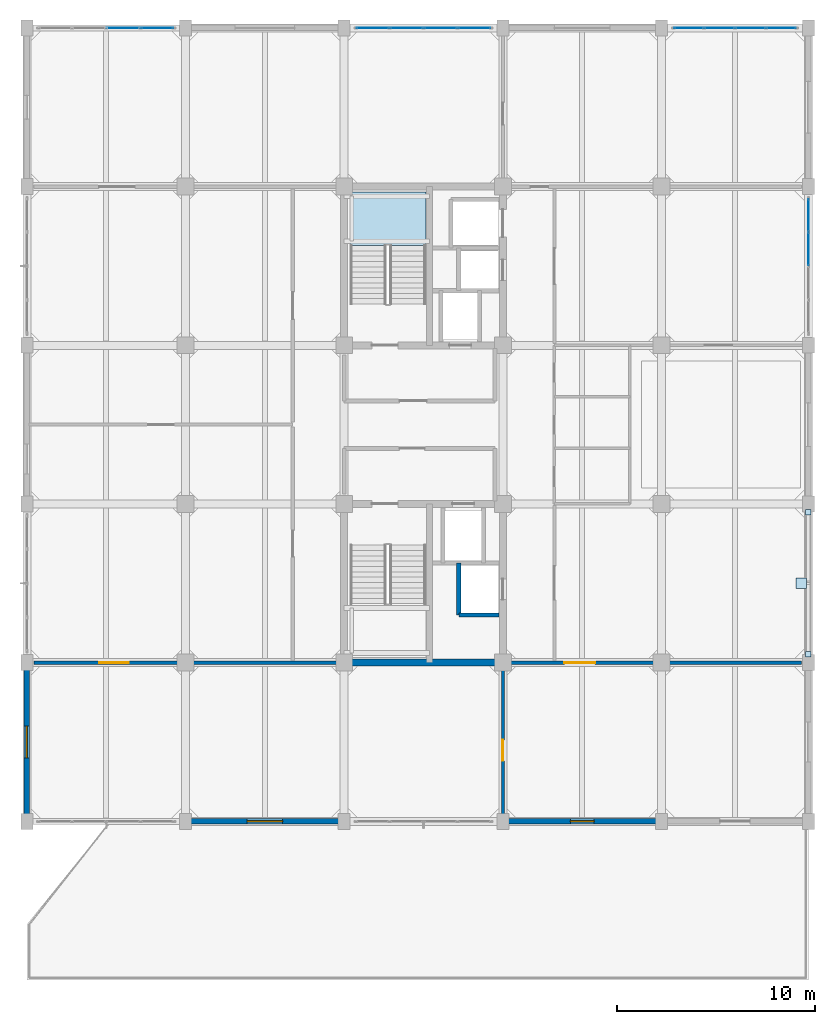
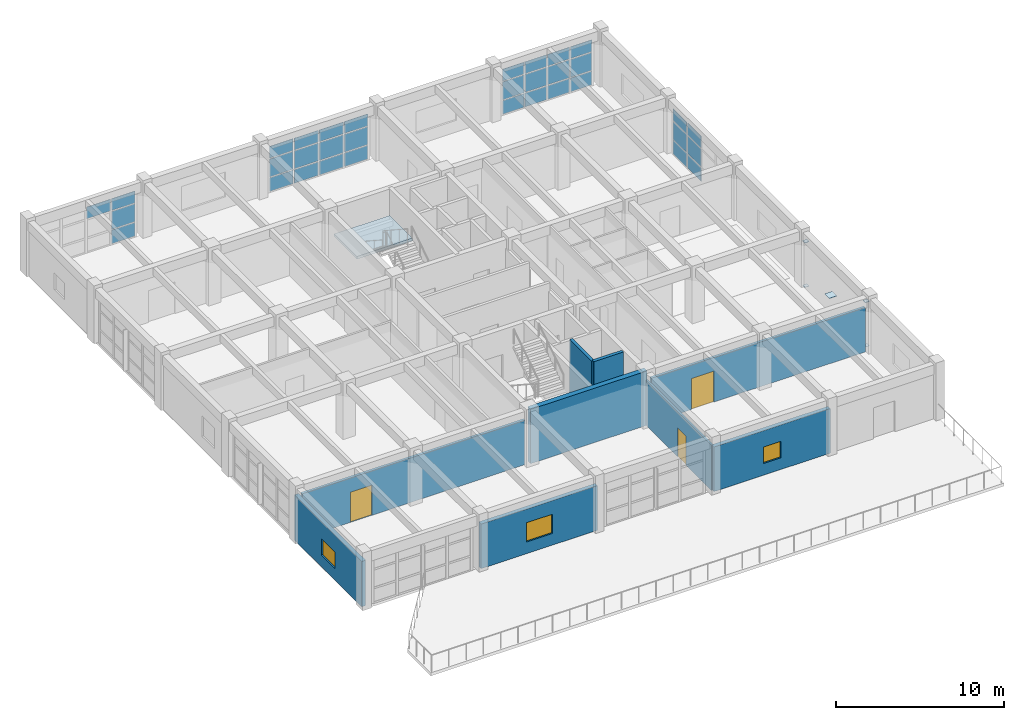
# One storey, part 21 of 30: 39 plates, 9 walls, 3 doors, 3 windows, 1 slab, 6 openings, 5 elements without a shape of their own.
"""IFC4 building model written with IfcOpenShell, lengths in metres."""

from ifc_helpers import new_model, si_unit, direction, frame, frame_2d, origin, origin_2d, place, context, subcontext, project, spatial, polyline, rectangle, outline, extrude, material, layer, layer_set, type_object, element, fill, aggregate, save


model = new_model("IFC4")

# Units and contexts
model_context = context("Model", 3, precision=1e-05, world=origin(), true_north=direction((0.0, 1.0)))
body_context = subcontext(model_context, "Body", "Model", "MODEL_VIEW")
ifc_project = project(units=[si_unit("LENGTHUNIT", "METRE"), si_unit("AREAUNIT", "SQUARE_METRE"), si_unit("VOLUMEUNIT", "CUBIC_METRE"), si_unit("PLANEANGLEUNIT", "RADIAN"), si_unit("MASSUNIT", "GRAM", prefix="KILO")], contexts=[model_context])

# Site, building, storey
site_placement = place(None, origin())
site = spatial("IfcSite", under=ifc_project, at=site_placement, CompositionType="ELEMENT")
building_placement = place(site_placement, origin())
building = spatial("IfcBuilding", under=site, at=building_placement, Name="Canggui Botanical Conservatory", CompositionType="ELEMENT")
storey_placement = place(building_placement, frame((0.0, 0.0, 27.60009765625)))
storey = spatial("IfcBuildingStorey", under=building, at=storey_placement, Name="L07", CompositionType="ELEMENT", Elevation=27.60009765625)

# Curtain wall, plates
ifc_material_1 = material(Name="Thermally Broken Aluminium", Category="aluminium")
ifc_layer_1 = layer(ifc_material_1, 0.179931640625, Name="Thermally Broken Aluminium", Category="aluminium")
ifc_layer_set_1 = layer_set([ifc_layer_1], Name="Thermally Broken Aluminium")
curtain_wall_type = type_object("IfcCurtainWallType", Name="CW-UNIT-A", PredefinedType="USERDEFINED", material=ifc_layer_set_1)
curtain_wall_1_placement = place(storey_placement, origin())
curtain_wall_1 = element("IfcCurtainWall", 1, at=curtain_wall_1_placement, inside=storey, type_object=curtain_wall_type, Name="Facade Curtain Wall CW-TWR-L07-11", ObjectType="UNITISED CURTAIN WALL", PredefinedType="USERDEFINED")
ifc_material_2 = material(Name="Low-E Insulated Glass", Category="glass")
ifc_layer_2 = layer(ifc_material_2, 0.02587890625, Name="Low-E Insulated Glass", Category="glass")
ifc_layer_set_2 = layer_set([ifc_layer_2], Name="Low-E Insulated Glass")
plate_type_1 = type_object("IfcPlateType", Name="CWP-01", PredefinedType="CURTAIN_PANEL", material=ifc_layer_set_2)
plate_1_placement = place(storey_placement, frame((142.860107421875, 74.0, 2.48046875), z_axis=(0.0, 0.0, 1.0), x_axis=(1.0, 0.0, 0.0)))
plate_1 = element("IfcPlate", 2, at=plate_1_placement, type_object=plate_type_1, Name="CW-01 panel 3.3", PredefinedType="CURTAIN_PANEL", context=body_context, shape_type="SweptSolid", body=[
    extrude(rectangle(XDim=1.64990234375, YDim=0.02587890625, at=origin_2d()), origin(), (0.0, 0.0, 1.0), 0.8544921875),
])
plate_2_placement = place(storey_placement, frame((144.5625, 74.0, 0.06494140625), z_axis=(0.0, 0.0, 1.0), x_axis=(1.0, 0.0, 0.0)))
plate_2 = element("IfcPlate", 3, at=plate_2_placement, type_object=plate_type_1, Name="CW-01 panel 4.1", PredefinedType="CURTAIN_PANEL", context=body_context, shape_type="SweptSolid", body=[
    extrude(rectangle(XDim=1.614990234375, YDim=0.02587890625, at=origin_2d()), origin(), (0.0, 0.0, 1.0), 0.990478515625),
])
plate_3_placement = place(storey_placement, frame((144.5625, 74.0, 1.120361328125), z_axis=(0.0, 0.0, 1.0), x_axis=(1.0, 0.0, 0.0)))
plate_3 = element("IfcPlate", 4, at=plate_3_placement, type_object=plate_type_1, Name="CW-01 panel 4.2", PredefinedType="CURTAIN_PANEL", context=body_context, shape_type="SweptSolid", body=[
    extrude(rectangle(XDim=1.614990234375, YDim=0.02587890625, at=origin_2d()), origin(), (0.0, 0.0, 1.0), 1.294921875),
])
plate_4_placement = place(storey_placement, frame((144.5625, 74.0, 2.48046875), z_axis=(0.0, 0.0, 1.0), x_axis=(1.0, 0.0, 0.0)))
plate_4 = element("IfcPlate", 5, at=plate_4_placement, type_object=plate_type_1, Name="CW-01 panel 4.3", PredefinedType="CURTAIN_PANEL", context=body_context, shape_type="SweptSolid", body=[
    extrude(rectangle(XDim=1.614990234375, YDim=0.02587890625, at=origin_2d()), origin(), (0.0, 0.0, 1.0), 0.8544921875),
])
aggregate(curtain_wall_1, [plate_1, plate_2, plate_3, plate_4])

curtain_wall_2_placement = place(storey_placement, origin())
curtain_wall_2 = element("IfcCurtainWall", 6, at=curtain_wall_2_placement, inside=storey, type_object=curtain_wall_type, Name="Facade Curtain Wall CW-TWR-L07-13", ObjectType="UNITISED CURTAIN WALL", PredefinedType="USERDEFINED")
plate_5_placement = place(storey_placement, frame((155.4375, 74.0, 0.06494140625), z_axis=(0.0, 0.0, 1.0), x_axis=(1.0, 0.0, 0.0)))
plate_5 = element("IfcPlate", 7, at=plate_5_placement, type_object=plate_type_1, Name="CW-01 panel 1.1", PredefinedType="CURTAIN_PANEL", context=body_context, shape_type="SweptSolid", body=[
    extrude(rectangle(XDim=1.614990234375, YDim=0.02587890625, at=origin_2d()), origin(), (0.0, 0.0, 1.0), 0.990478515625),
])
plate_6_placement = place(storey_placement, frame((155.4375, 74.0, 1.120361328125), z_axis=(0.0, 0.0, 1.0), x_axis=(1.0, 0.0, 0.0)))
plate_6 = element("IfcPlate", 8, at=plate_6_placement, type_object=plate_type_1, Name="CW-01 panel 1.2", PredefinedType="CURTAIN_PANEL", context=body_context, shape_type="SweptSolid", body=[
    extrude(rectangle(XDim=1.614990234375, YDim=0.02587890625, at=origin_2d()), origin(), (0.0, 0.0, 1.0), 1.294921875),
])
plate_7_placement = place(storey_placement, frame((155.4375, 74.0, 2.48046875), z_axis=(0.0, 0.0, 1.0), x_axis=(1.0, 0.0, 0.0)))
plate_7 = element("IfcPlate", 9, at=plate_7_placement, type_object=plate_type_1, Name="CW-01 panel 1.3", PredefinedType="CURTAIN_PANEL", context=body_context, shape_type="SweptSolid", body=[
    extrude(rectangle(XDim=1.614990234375, YDim=0.02587890625, at=origin_2d()), origin(), (0.0, 0.0, 1.0), 0.8544921875),
])
plate_8_placement = place(storey_placement, frame((157.139892578125, 74.0, 0.06494140625), z_axis=(0.0, 0.0, 1.0), x_axis=(1.0, 0.0, 0.0)))
plate_8 = element("IfcPlate", 10, at=plate_8_placement, type_object=plate_type_1, Name="CW-01 panel 2.1", PredefinedType="CURTAIN_PANEL", context=body_context, shape_type="SweptSolid", body=[
    extrude(rectangle(XDim=1.64990234375, YDim=0.02587890625, at=origin_2d()), origin(), (0.0, 0.0, 1.0), 0.990478515625),
])
plate_9_placement = place(storey_placement, frame((157.139892578125, 74.0, 1.120361328125), z_axis=(0.0, 0.0, 1.0), x_axis=(1.0, 0.0, 0.0)))
plate_9 = element("IfcPlate", 11, at=plate_9_placement, type_object=plate_type_1, Name="CW-01 panel 2.2", PredefinedType="CURTAIN_PANEL", context=body_context, shape_type="SweptSolid", body=[
    extrude(rectangle(XDim=1.64990234375, YDim=0.02587890625, at=origin_2d()), origin(), (0.0, 0.0, 1.0), 1.294921875),
])
plate_10_placement = place(storey_placement, frame((157.139892578125, 74.0, 2.48046875), z_axis=(0.0, 0.0, 1.0), x_axis=(1.0, 0.0, 0.0)))
plate_10 = element("IfcPlate", 12, at=plate_10_placement, type_object=plate_type_1, Name="CW-01 panel 2.3", PredefinedType="CURTAIN_PANEL", context=body_context, shape_type="SweptSolid", body=[
    extrude(rectangle(XDim=1.64990234375, YDim=0.02587890625, at=origin_2d()), origin(), (0.0, 0.0, 1.0), 0.8544921875),
])
plate_11_placement = place(storey_placement, frame((158.860107421875, 74.0, 0.06494140625), z_axis=(0.0, 0.0, 1.0), x_axis=(1.0, 0.0, 0.0)))
plate_11 = element("IfcPlate", 13, at=plate_11_placement, type_object=plate_type_1, Name="CW-01 panel 3.1", PredefinedType="CURTAIN_PANEL", context=body_context, shape_type="SweptSolid", body=[
    extrude(rectangle(XDim=1.64990234375, YDim=0.02587890625, at=origin_2d()), origin(), (0.0, 0.0, 1.0), 0.990478515625),
])
plate_12_placement = place(storey_placement, frame((158.860107421875, 74.0, 1.120361328125), z_axis=(0.0, 0.0, 1.0), x_axis=(1.0, 0.0, 0.0)))
plate_12 = element("IfcPlate", 14, at=plate_12_placement, type_object=plate_type_1, Name="CW-01 panel 3.2", PredefinedType="CURTAIN_PANEL", context=body_context, shape_type="SweptSolid", body=[
    extrude(rectangle(XDim=1.64990234375, YDim=0.02587890625, at=origin_2d()), origin(), (0.0, 0.0, 1.0), 1.294921875),
])
plate_13_placement = place(storey_placement, frame((158.860107421875, 74.0, 2.48046875), z_axis=(0.0, 0.0, 1.0), x_axis=(1.0, 0.0, 0.0)))
plate_13 = element("IfcPlate", 15, at=plate_13_placement, type_object=plate_type_1, Name="CW-01 panel 3.3", PredefinedType="CURTAIN_PANEL", context=body_context, shape_type="SweptSolid", body=[
    extrude(rectangle(XDim=1.64990234375, YDim=0.02587890625, at=origin_2d()), origin(), (0.0, 0.0, 1.0), 0.8544921875),
])
plate_14_placement = place(storey_placement, frame((160.5625, 74.0, 0.06494140625), z_axis=(0.0, 0.0, 1.0), x_axis=(1.0, 0.0, 0.0)))
plate_14 = element("IfcPlate", 16, at=plate_14_placement, type_object=plate_type_1, Name="CW-01 panel 4.1", PredefinedType="CURTAIN_PANEL", context=body_context, shape_type="SweptSolid", body=[
    extrude(rectangle(XDim=1.614990234375, YDim=0.02587890625, at=origin_2d()), origin(), (0.0, 0.0, 1.0), 0.990478515625),
])
plate_15_placement = place(storey_placement, frame((160.5625, 74.0, 1.120361328125), z_axis=(0.0, 0.0, 1.0), x_axis=(1.0, 0.0, 0.0)))
plate_15 = element("IfcPlate", 17, at=plate_15_placement, type_object=plate_type_1, Name="CW-01 panel 4.2", PredefinedType="CURTAIN_PANEL", context=body_context, shape_type="SweptSolid", body=[
    extrude(rectangle(XDim=1.614990234375, YDim=0.02587890625, at=origin_2d()), origin(), (0.0, 0.0, 1.0), 1.294921875),
])
plate_16_placement = place(storey_placement, frame((160.5625, 74.0, 2.48046875), z_axis=(0.0, 0.0, 1.0), x_axis=(1.0, 0.0, 0.0)))
plate_16 = element("IfcPlate", 18, at=plate_16_placement, type_object=plate_type_1, Name="CW-01 panel 4.3", PredefinedType="CURTAIN_PANEL", context=body_context, shape_type="SweptSolid", body=[
    extrude(rectangle(XDim=1.614990234375, YDim=0.02587890625, at=origin_2d()), origin(), (0.0, 0.0, 1.0), 0.8544921875),
])
aggregate(curtain_wall_2, [plate_5, plate_6, plate_7, plate_8, plate_9, plate_10, plate_11, plate_12, plate_13, plate_14, plate_15, plate_16])

curtain_wall_3_placement = place(storey_placement, origin())
curtain_wall_3 = element("IfcCurtainWall", 19, at=curtain_wall_3_placement, inside=storey, type_object=curtain_wall_type, Name="Facade Curtain Wall CW-TWR-L07-15", ObjectType="UNITISED CURTAIN WALL", PredefinedType="USERDEFINED")
plate_17_placement = place(storey_placement, frame((171.362548828125, 74.0, 0.06494140625), z_axis=(0.0, 0.0, 1.0), x_axis=(1.0, 0.0, 0.0)))
plate_17 = element("IfcPlate", 20, at=plate_17_placement, type_object=plate_type_1, Name="CW-01 panel 1.1", PredefinedType="CURTAIN_PANEL", context=body_context, shape_type="SweptSolid", body=[
    extrude(rectangle(XDim=1.465087890625, YDim=0.02587890625, at=origin_2d()), origin(), (0.0, 0.0, 1.0), 0.990478515625),
])
plate_18_placement = place(storey_placement, frame((171.362548828125, 74.0, 1.120361328125), z_axis=(0.0, 0.0, 1.0), x_axis=(1.0, 0.0, 0.0)))
plate_18 = element("IfcPlate", 21, at=plate_18_placement, type_object=plate_type_1, Name="CW-01 panel 1.2", PredefinedType="CURTAIN_PANEL", context=body_context, shape_type="SweptSolid", body=[
    extrude(rectangle(XDim=1.465087890625, YDim=0.02587890625, at=origin_2d()), origin(), (0.0, 0.0, 1.0), 1.294921875),
])
plate_19_placement = place(storey_placement, frame((171.362548828125, 74.0, 2.48046875), z_axis=(0.0, 0.0, 1.0), x_axis=(1.0, 0.0, 0.0)))
plate_19 = element("IfcPlate", 22, at=plate_19_placement, type_object=plate_type_1, Name="CW-01 panel 1.3", PredefinedType="CURTAIN_PANEL", context=body_context, shape_type="SweptSolid", body=[
    extrude(rectangle(XDim=1.465087890625, YDim=0.02587890625, at=origin_2d()), origin(), (0.0, 0.0, 1.0), 0.8544921875),
])
plate_20_placement = place(storey_placement, frame((172.9150390625, 74.0, 0.06494140625), z_axis=(0.0, 0.0, 1.0), x_axis=(1.0, 0.0, 0.0)))
plate_20 = element("IfcPlate", 23, at=plate_20_placement, type_object=plate_type_1, Name="CW-01 panel 2.1", PredefinedType="CURTAIN_PANEL", context=body_context, shape_type="SweptSolid", body=[
    extrude(rectangle(XDim=1.5, YDim=0.02587890625, at=origin_2d()), origin(), (0.0, 0.0, 1.0), 0.990478515625),
])
plate_21_placement = place(storey_placement, frame((172.9150390625, 74.0, 1.120361328125), z_axis=(0.0, 0.0, 1.0), x_axis=(1.0, 0.0, 0.0)))
plate_21 = element("IfcPlate", 24, at=plate_21_placement, type_object=plate_type_1, Name="CW-01 panel 2.2", PredefinedType="CURTAIN_PANEL", context=body_context, shape_type="SweptSolid", body=[
    extrude(rectangle(XDim=1.5, YDim=0.02587890625, at=origin_2d()), origin(), (0.0, 0.0, 1.0), 1.294921875),
])
plate_22_placement = place(storey_placement, frame((172.9150390625, 74.0, 2.48046875), z_axis=(0.0, 0.0, 1.0), x_axis=(1.0, 0.0, 0.0)))
plate_22 = element("IfcPlate", 25, at=plate_22_placement, type_object=plate_type_1, Name="CW-01 panel 2.3", PredefinedType="CURTAIN_PANEL", context=body_context, shape_type="SweptSolid", body=[
    extrude(rectangle(XDim=1.5, YDim=0.02587890625, at=origin_2d()), origin(), (0.0, 0.0, 1.0), 0.8544921875),
])
plate_23_placement = place(storey_placement, frame((174.485107421875, 74.0, 0.06494140625), z_axis=(0.0, 0.0, 1.0), x_axis=(1.0, 0.0, 0.0)))
plate_23 = element("IfcPlate", 26, at=plate_23_placement, type_object=plate_type_1, Name="CW-01 panel 3.1", PredefinedType="CURTAIN_PANEL", context=body_context, shape_type="SweptSolid", body=[
    extrude(rectangle(XDim=1.5, YDim=0.02587890625, at=origin_2d()), origin(), (0.0, 0.0, 1.0), 0.990478515625),
])
plate_24_placement = place(storey_placement, frame((174.485107421875, 74.0, 1.120361328125), z_axis=(0.0, 0.0, 1.0), x_axis=(1.0, 0.0, 0.0)))
plate_24 = element("IfcPlate", 27, at=plate_24_placement, type_object=plate_type_1, Name="CW-01 panel 3.2", PredefinedType="CURTAIN_PANEL", context=body_context, shape_type="SweptSolid", body=[
    extrude(rectangle(XDim=1.5, YDim=0.02587890625, at=origin_2d()), origin(), (0.0, 0.0, 1.0), 1.294921875),
])
plate_25_placement = place(storey_placement, frame((174.485107421875, 74.0, 2.48046875), z_axis=(0.0, 0.0, 1.0), x_axis=(1.0, 0.0, 0.0)))
plate_25 = element("IfcPlate", 28, at=plate_25_placement, type_object=plate_type_1, Name="CW-01 panel 3.3", PredefinedType="CURTAIN_PANEL", context=body_context, shape_type="SweptSolid", body=[
    extrude(rectangle(XDim=1.5, YDim=0.02587890625, at=origin_2d()), origin(), (0.0, 0.0, 1.0), 0.8544921875),
])
plate_26_placement = place(storey_placement, frame((176.03759765625, 74.0, 0.06494140625), z_axis=(0.0, 0.0, 1.0), x_axis=(1.0, 0.0, 0.0)))
plate_26 = element("IfcPlate", 29, at=plate_26_placement, type_object=plate_type_1, Name="CW-01 panel 4.1", PredefinedType="CURTAIN_PANEL", context=body_context, shape_type="SweptSolid", body=[
    extrude(rectangle(XDim=1.465087890625, YDim=0.02587890625, at=origin_2d()), origin(), (0.0, 0.0, 1.0), 0.990478515625),
])
plate_27_placement = place(storey_placement, frame((176.03759765625, 74.0, 1.120361328125), z_axis=(0.0, 0.0, 1.0), x_axis=(1.0, 0.0, 0.0)))
plate_27 = element("IfcPlate", 30, at=plate_27_placement, type_object=plate_type_1, Name="CW-01 panel 4.2", PredefinedType="CURTAIN_PANEL", context=body_context, shape_type="SweptSolid", body=[
    extrude(rectangle(XDim=1.465087890625, YDim=0.02587890625, at=origin_2d()), origin(), (0.0, 0.0, 1.0), 1.294921875),
])
plate_28_placement = place(storey_placement, frame((176.03759765625, 74.0, 2.48046875), z_axis=(0.0, 0.0, 1.0), x_axis=(1.0, 0.0, 0.0)))
plate_28 = element("IfcPlate", 31, at=plate_28_placement, type_object=plate_type_1, Name="CW-01 panel 4.3", PredefinedType="CURTAIN_PANEL", context=body_context, shape_type="SweptSolid", body=[
    extrude(rectangle(XDim=1.465087890625, YDim=0.02587890625, at=origin_2d()), origin(), (0.0, 0.0, 1.0), 0.8544921875),
])
aggregate(curtain_wall_3, [plate_17, plate_18, plate_19, plate_20, plate_21, plate_22, plate_23, plate_24, plate_25, plate_26, plate_27, plate_28])

curtain_wall_4_placement = place(storey_placement, origin())
curtain_wall_4 = element("IfcCurtainWall", 32, at=curtain_wall_4_placement, inside=storey, type_object=curtain_wall_type, Name="Facade Curtain Wall CW-TWR-L07-17", ObjectType="UNITISED CURTAIN WALL", PredefinedType="USERDEFINED")
plate_29_placement = place(storey_placement, frame((177.39990234375, 64.5625, 0.06494140625), z_axis=(0.0, 0.0, 1.0), x_axis=(0.0, -1.0, 0.0)))
plate_29 = element("IfcPlate", 33, at=plate_29_placement, type_object=plate_type_1, Name="CW-01 panel 1.1", PredefinedType="CURTAIN_PANEL", context=body_context, shape_type="SweptSolid", body=[
    extrude(rectangle(XDim=1.614990234375, YDim=0.02587890625, at=origin_2d()), origin(), (0.0, 0.0, 1.0), 0.990478515625),
])
plate_30_placement = place(storey_placement, frame((177.39990234375, 64.5625, 1.120361328125), z_axis=(0.0, 0.0, 1.0), x_axis=(0.0, -1.0, 0.0)))
plate_30 = element("IfcPlate", 34, at=plate_30_placement, type_object=plate_type_1, Name="CW-01 panel 1.2", PredefinedType="CURTAIN_PANEL", context=body_context, shape_type="SweptSolid", body=[
    extrude(rectangle(XDim=1.614990234375, YDim=0.02587890625, at=origin_2d()), origin(), (0.0, 0.0, 1.0), 1.294921875),
])
plate_31_placement = place(storey_placement, frame((177.39990234375, 64.5625, 2.48046875), z_axis=(0.0, 0.0, 1.0), x_axis=(0.0, -1.0, 0.0)))
plate_31 = element("IfcPlate", 35, at=plate_31_placement, type_object=plate_type_1, Name="CW-01 panel 1.3", PredefinedType="CURTAIN_PANEL", context=body_context, shape_type="SweptSolid", body=[
    extrude(rectangle(XDim=1.614990234375, YDim=0.02587890625, at=origin_2d()), origin(), (0.0, 0.0, 1.0), 0.8544921875),
])
plate_32_placement = place(storey_placement, frame((177.39990234375, 62.860107421875, 0.06494140625), z_axis=(0.0, 0.0, 1.0), x_axis=(0.0, -1.0, 0.0)))
plate_32 = element("IfcPlate", 36, at=plate_32_placement, type_object=plate_type_1, Name="CW-01 panel 2.1", PredefinedType="CURTAIN_PANEL", context=body_context, shape_type="SweptSolid", body=[
    extrude(rectangle(XDim=1.64990234375, YDim=0.02587890625, at=origin_2d()), origin(), (0.0, 0.0, 1.0), 0.990478515625),
])
plate_33_placement = place(storey_placement, frame((177.39990234375, 62.860107421875, 1.120361328125), z_axis=(0.0, 0.0, 1.0), x_axis=(0.0, -1.0, 0.0)))
plate_33 = element("IfcPlate", 37, at=plate_33_placement, type_object=plate_type_1, Name="CW-01 panel 2.2", PredefinedType="CURTAIN_PANEL", context=body_context, shape_type="SweptSolid", body=[
    extrude(rectangle(XDim=1.64990234375, YDim=0.02587890625, at=origin_2d()), origin(), (0.0, 0.0, 1.0), 1.294921875),
])
plate_34_placement = place(storey_placement, frame((177.39990234375, 62.860107421875, 2.48046875), z_axis=(0.0, 0.0, 1.0), x_axis=(0.0, -1.0, 0.0)))
plate_34 = element("IfcPlate", 38, at=plate_34_placement, type_object=plate_type_1, Name="CW-01 panel 2.3", PredefinedType="CURTAIN_PANEL", context=body_context, shape_type="SweptSolid", body=[
    extrude(rectangle(XDim=1.64990234375, YDim=0.02587890625, at=origin_2d()), origin(), (0.0, 0.0, 1.0), 0.8544921875),
])
aggregate(curtain_wall_4, [plate_29, plate_30, plate_31, plate_32, plate_33, plate_34])

# Plates
ifc_material_3 = material(Name="Steel Q355B", Category="steel")
ifc_layer_3 = layer(ifc_material_3, 0.02001953125, Name="Steel Q355B", Category="steel")
ifc_layer_set_3 = layer_set([ifc_layer_3], Name="Steel Q355B")
plate_type_2 = type_object("IfcPlateType", Name="PLT-CAP-20", PredefinedType="USERDEFINED", material=ifc_layer_set_3)
for number, where, z_axis, x_axis, name in (
    (39, (177.39990234375, 42.419921875, 0.039794921875), (0.0, 0.0, 1.0), (1.0, 0.0, 0.0), "CP-ZC-L07-1"),
    (40, (177.39990234375, 49.580078125, 0.039794921875), (0.0, 0.0, 1.0), (1.0, 0.0, 0.0), "CP-ZC-L07-2"),
    (41, (177.39990234375, 42.419921875, 3.269775390625), (0.0, 0.0, 1.0), (1.0, 0.0, 0.0), "CP-ZC-L07-3"),
    (42, (177.39990234375, 49.580078125, 3.269775390625), (0.0, 0.0, 1.0), (1.0, 0.0, 0.0), "CP-ZC-L07-4"),
):
    element("IfcPlate", number, at=place(storey_placement, frame(where, z_axis=z_axis, x_axis=x_axis)), inside=storey, type_object=plate_type_2, Name=name, ObjectType="END CAP PLATE", PredefinedType="USERDEFINED", context=body_context, shape_type="SweptSolid", body=[
        extrude(rectangle(XDim=0.280029296875, YDim=0.280029296875, at=origin_2d()), origin(), (0.0, 0.0, 1.0), 0.02001953125),
    ])
ifc_material_4 = material(Name="Steel Q355C", Category="steel")
ifc_layer_4 = layer(ifc_material_4, 0.02392578125, Name="Steel Q355C", Category="steel")
ifc_layer_set_4 = layer_set([ifc_layer_4], Name="Steel Q355C")
plate_type_3 = type_object("IfcPlateType", Name="PLT-GUSSET-24", PredefinedType="USERDEFINED", material=ifc_layer_set_4)
plate_35_placement = place(storey_placement, frame((177.050048828125, 46.0, 1.65283203125), z_axis=(0.0, 0.0, 1.0), x_axis=(1.0, 0.0, 0.0)))
element("IfcPlate", 43, at=plate_35_placement, inside=storey, type_object=plate_type_3, Name="Seismic X-Brace Central Crossing Gusset Plate L07", ObjectType="GUSSET PLATE", PredefinedType="USERDEFINED", context=body_context, shape_type="SweptSolid", body=[
    extrude(rectangle(XDim=0.5400390625, YDim=0.5400390625, at=origin_2d()), origin(), (0.0, 0.0, 1.0), 0.02392578125),
])

# Stair, slab
ifc_material_5 = material(Name="Concrete C35", Category="concrete")
stair_type = type_object("IfcStairType", Name="STR-TYPE-6", PredefinedType="HALF_TURN_STAIR", material=ifc_material_5)
stair_placement = place(storey_placement, origin())
stair = element("IfcStair", 44, at=stair_placement, inside=storey, type_object=stair_type, Name="L07 Tower North Smoke-Proof Stair ST-T2", PredefinedType="HALF_TURN_STAIR")
ifc_layer_5 = layer(ifc_material_5, 0.199951171875, Name="Concrete C35", Category="concrete")
ifc_layer_set_5 = layer_set([ifc_layer_5], Name="Concrete C35")
slab_type = type_object("IfcSlabType", Name="SLAB-LND-200", PredefinedType="LANDING", material=ifc_layer_set_5)
slab_placement = place(storey_placement, frame((0.0, 0.0, 1.89990234375)))
slab = element("IfcSlab", 45, at=slab_placement, type_object=slab_type, Name="ST-T2 landing 1", PredefinedType="LANDING", context=body_context, shape_type="SweptSolid", body=[
    extrude(outline(polyline([(158.1201171875, 63.027587890625), (158.1201171875, 65.739990234375), (154.300048828125, 65.739990234375), (154.300048828125, 63.027587890625), (158.1201171875, 63.027587890625)])), origin(), (0.0, 0.0, 1.0), 0.199951171875),
])
aggregate(stair, [slab])

# Wall, opening, window
ifc_material_6 = material(Name="Precast Concrete C40", Category="concrete")
ifc_layer_6 = layer(ifc_material_6, 0.280029296875, Name="Precast Concrete C40", Category="concrete")
ifc_layer_set_6 = layer_set([ifc_layer_6], Name="Precast Concrete C40")
wall_type_1 = type_object("IfcWallType", Name="EW-280", PredefinedType="STANDARD", material=ifc_layer_set_6)
wall_1_placement = place(storey_placement, frame((170.0, 34.0, 0.0), z_axis=(0.0, 0.0, 1.0), x_axis=(-1.0, 0.0, 0.0)))
wall_1 = element("IfcWall", 46, at=wall_1_placement, inside=storey, type_object=wall_type_1, Name="Tower Insulated Exterior Wall L07-S2", PredefinedType="STANDARD", context=body_context, shape_type="SweptSolid", body=[
    extrude(rectangle(XDim=8.0, YDim=0.280029296875, at=frame_2d((4.0, 0.0))), origin(), (0.0, 0.0, 1.0), 3.239990234375),
])
opening_1_placement = place(wall_1_placement, frame((3.39990234375, 0.0, 0.85009765625)))
opening_1 = element("IfcOpeningElement", 47, at=opening_1_placement, cuts=wall_1, Name="Opening W-06", PredefinedType="OPENING", context=body_context, shape_type="SweptSolid", body=[
    extrude(rectangle(XDim=1.199951171875, YDim=1.199951171875, at=frame_2d((0.60009765625, 0.60009765625))), frame((0.0, 0.14990234375, 0.0), z_axis=(0.0, -1.0, 0.0), x_axis=(1.0, 0.0, 0.0)), (0.0, 0.0, 1.0), 0.300048828125),
])
window_type_1 = type_object("IfcWindowType", Name="WIN-06", PartitioningType="SINGLE_PANEL", PredefinedType="WINDOW", material=ifc_material_2)
window_1_placement = place(opening_1_placement, origin())
window_1 = element("IfcWindow", 48, at=window_1_placement, inside=storey, type_object=window_type_1, Name="Tower Firefighter Rescue Window L07-2", OverallHeight=1.199951171875, OverallWidth=1.199951171875, PartitioningType="SINGLE_PANEL", PredefinedType="WINDOW", context=body_context, shape_type="SweptSolid", body=[
    extrude(rectangle(XDim=1.199951171875, YDim=1.199951171875, at=frame_2d((0.60009765625, 0.60009765625))), frame((0.0, 0.030029296875, 0.0), z_axis=(0.0, -1.0, 0.0), x_axis=(1.0, 0.0, 0.0)), (0.0, 0.0, 1.0), 0.06005859375),
])
fill(opening_1, window_1)

wall_2_placement = place(storey_placement, frame((154.0, 34.0, 0.0), z_axis=(0.0, 0.0, 1.0), x_axis=(-1.0, 0.0, 0.0)))
wall_2 = element("IfcWall", 49, at=wall_2_placement, inside=storey, type_object=wall_type_1, Name="Tower Insulated Exterior Wall L07-S4", PredefinedType="STANDARD", context=body_context, shape_type="SweptSolid", body=[
    extrude(rectangle(XDim=8.0, YDim=0.280029296875, at=frame_2d((4.0, 0.0))), origin(), (0.0, 0.0, 1.0), 3.239990234375),
])
opening_2_placement = place(wall_2_placement, frame((3.10009765625, 0.0, 0.85009765625)))
opening_2 = element("IfcOpeningElement", 50, at=opening_2_placement, cuts=wall_2, Name="Opening W-03", PredefinedType="OPENING", context=body_context, shape_type="SweptSolid", body=[
    extrude(rectangle(XDim=1.800048828125, YDim=1.39990234375, at=frame_2d((0.89990234375, 0.699951171875))), frame((0.0, 0.14990234375, 0.0), z_axis=(0.0, -1.0, 0.0), x_axis=(1.0, 0.0, 0.0)), (0.0, 0.0, 1.0), 0.300048828125),
])
window_type_2 = type_object("IfcWindowType", Name="WIN-03", PartitioningType="DOUBLE_PANEL_VERTICAL", PredefinedType="WINDOW", material=ifc_material_2)
window_2_placement = place(opening_2_placement, origin())
window_2 = element("IfcWindow", 51, at=window_2_placement, inside=storey, type_object=window_type_2, Name="Tower Window L07-4", OverallHeight=1.39990234375, OverallWidth=1.800048828125, PartitioningType="SINGLE_PANEL", PredefinedType="WINDOW", context=body_context, shape_type="SweptSolid", body=[
    extrude(rectangle(XDim=1.800048828125, YDim=1.39990234375, at=frame_2d((0.89990234375, 0.699951171875))), frame((0.0, 0.030029296875, 0.0), z_axis=(0.0, -1.0, 0.0), x_axis=(1.0, 0.0, 0.0)), (0.0, 0.0, 1.0), 0.06005859375),
])
fill(opening_2, window_2)

wall_3_placement = place(storey_placement, frame((138.0, 34.0, 0.0), z_axis=(0.0, 0.0, 1.0), x_axis=(0.0, 1.0, 0.0)))
wall_3 = element("IfcWall", 52, at=wall_3_placement, inside=storey, type_object=wall_type_1, Name="Tower Insulated Exterior Wall L07-W6", PredefinedType="STANDARD", context=body_context, shape_type="SweptSolid", body=[
    extrude(rectangle(XDim=8.0, YDim=0.280029296875, at=frame_2d((4.0, 0.0))), origin(), (0.0, 0.0, 1.0), 3.289794921875),
])
opening_3_placement = place(wall_3_placement, frame((3.199951171875, 0.0, 0.85009765625)))
opening_3 = element("IfcOpeningElement", 53, at=opening_3_placement, cuts=wall_3, Name="Opening W-04", PredefinedType="OPENING", context=body_context, shape_type="SweptSolid", body=[
    extrude(rectangle(XDim=1.60009765625, YDim=1.199951171875, at=frame_2d((0.800048828125, 0.60009765625))), frame((0.0, 0.14990234375, 0.0), z_axis=(0.0, -1.0, 0.0), x_axis=(1.0, 0.0, 0.0)), (0.0, 0.0, 1.0), 0.300048828125),
])
window_type_3 = type_object("IfcWindowType", Name="WIN-04", PartitioningType="SINGLE_PANEL", PredefinedType="WINDOW", material=ifc_material_2)
window_3_placement = place(opening_3_placement, origin())
window_3 = element("IfcWindow", 54, at=window_3_placement, inside=storey, type_object=window_type_3, Name="Tower Window L07-6", OverallHeight=1.199951171875, OverallWidth=1.60009765625, PartitioningType="SINGLE_PANEL", PredefinedType="WINDOW", context=body_context, shape_type="SweptSolid", body=[
    extrude(rectangle(XDim=1.60009765625, YDim=1.199951171875, at=frame_2d((0.800048828125, 0.60009765625))), frame((0.0, 0.030029296875, 0.0), z_axis=(0.0, -1.0, 0.0), x_axis=(1.0, 0.0, 0.0)), (0.0, 0.0, 1.0), 0.06005859375),
])
fill(opening_3, window_3)

# Wall, opening, door
ifc_material_7 = material(Name="Gypsum Plasterboard Partition")
ifc_layer_7 = layer(ifc_material_7, 0.175048828125, Name="Gypsum Plasterboard Partition")
ifc_layer_set_7 = layer_set([ifc_layer_7], Name="Gypsum Plasterboard Partition")
wall_type_2 = type_object("IfcWallType", Name="IW-CORR-175", PredefinedType="STANDARD", material=ifc_layer_set_7)
wall_4_placement = place(storey_placement, frame((138.35009765625, 42.0, 0.0), z_axis=(0.0, 0.0, 1.0), x_axis=(1.0, 0.0, 0.0)))
wall_4 = element("IfcWall", 55, at=wall_4_placement, inside=storey, type_object=wall_type_2, Name="L07 Palynology Pollen Analysis Laboratory South Suite Wall", PredefinedType="STANDARD", context=body_context, shape_type="SweptSolid", body=[
    extrude(rectangle(XDim=15.2998046875, YDim=0.175048828125, at=frame_2d((7.64990234375, 0.0))), origin(), (0.0, 0.0, 1.0), 3.239990234375),
])
opening_4_placement = place(wall_4_placement, frame((3.300048828125, 0.0, 0.0)))
opening_4 = element("IfcOpeningElement", 56, at=opening_4_placement, cuts=wall_4, Name="Opening FD-13", PredefinedType="OPENING", context=body_context, shape_type="SweptSolid", body=[
    extrude(rectangle(XDim=1.5, YDim=2.199951171875, at=frame_2d((0.75, 1.10009765625))), frame((0.0, 0.09765625, 0.0), z_axis=(0.0, -1.0, 0.0), x_axis=(1.0, 0.0, 0.0)), (0.0, 0.0, 1.0), 0.195068359375),
])
ifc_material_8 = material(Name="Powder-Coated Steel", Category="steel")
door_type_1 = type_object("IfcDoorType", Name="FD-13", OperationType="NOTDEFINED", PredefinedType="DOOR", material=ifc_material_8)
door_1_placement = place(opening_4_placement, origin())
door_1 = element("IfcDoor", 57, at=door_1_placement, inside=storey, type_object=door_type_1, Name="Interior Door IW-L07-SCOR-1", OperationType="SINGLE_SWING_LEFT", OverallHeight=2.199951171875, OverallWidth=1.5, PredefinedType="DOOR", context=body_context, shape_type="SweptSolid", body=[
    extrude(rectangle(XDim=1.5, YDim=2.199951171875, at=frame_2d((0.75, 1.10009765625))), frame((0.0, 0.02490234375, 0.0), z_axis=(0.0, -1.0, 0.0), x_axis=(1.0, 0.0, 0.0)), (0.0, 0.0, 1.0), 0.050048828125),
])
fill(opening_4, door_1)

wall_5_placement = place(storey_placement, frame((162.35009765625, 42.0, 0.0), z_axis=(0.0, 0.0, 1.0), x_axis=(1.0, 0.0, 0.0)))
wall_5 = element("IfcWall", 58, at=wall_5_placement, inside=storey, type_object=wall_type_2, Name="L07 Microtome Histology Prep Room South Suite Wall", PredefinedType="STANDARD", context=body_context, shape_type="SweptSolid", body=[
    extrude(rectangle(XDim=14.699951171875, YDim=0.175048828125, at=frame_2d((7.35009765625, 0.0))), origin(), (0.0, 0.0, 1.0), 3.239990234375),
])
opening_5_placement = place(wall_5_placement, frame((2.75, 0.0, 0.0)))
opening_5 = element("IfcOpeningElement", 59, at=opening_5_placement, cuts=wall_5, Name="Opening FD-14", PredefinedType="OPENING", context=body_context, shape_type="SweptSolid", body=[
    extrude(rectangle(XDim=1.550048828125, YDim=2.25, at=frame_2d((0.77490234375, 1.125))), frame((0.0, 0.09765625, 0.0), z_axis=(0.0, -1.0, 0.0), x_axis=(1.0, 0.0, 0.0)), (0.0, 0.0, 1.0), 0.195068359375),
])
door_type_2 = type_object("IfcDoorType", Name="FD-14", OperationType="NOTDEFINED", PredefinedType="DOOR", material=ifc_material_8)
door_2_placement = place(opening_5_placement, origin())
door_2 = element("IfcDoor", 60, at=door_2_placement, inside=storey, type_object=door_type_2, Name="Interior Door IW-L07-SCOR-2", OperationType="SINGLE_SWING_LEFT", OverallHeight=2.25, OverallWidth=1.550048828125, PredefinedType="DOOR", context=body_context, shape_type="SweptSolid", body=[
    extrude(rectangle(XDim=1.550048828125, YDim=2.25, at=frame_2d((0.77490234375, 1.125))), frame((0.0, 0.02490234375, 0.0), z_axis=(0.0, -1.0, 0.0), x_axis=(1.0, 0.0, 0.0)), (0.0, 0.0, 1.0), 0.050048828125),
])
fill(opening_5, door_2)

ifc_layer_8 = layer(ifc_material_7, 0.139892578125, Name="Gypsum Plasterboard Partition")
ifc_layer_set_8 = layer_set([ifc_layer_8], Name="Gypsum Plasterboard Partition")
wall_type_3 = type_object("IfcWallType", Name="IW-PART-140", PredefinedType="STANDARD", material=ifc_layer_set_8)
wall_6_placement = place(storey_placement, frame((162.0, 34.050048828125, 0.0), z_axis=(0.0, 0.0, 1.0), x_axis=(0.0, 1.0, 0.0)))
wall_6 = element("IfcWall", 61, at=wall_6_placement, inside=storey, type_object=wall_type_3, Name="L07 Palynology Pollen Analysis Laboratory South Cross Wall", PredefinedType="STANDARD", context=body_context, shape_type="SweptSolid", body=[
    extrude(rectangle(XDim=7.829833984375, YDim=0.139892578125, at=frame_2d((3.9150390625, 0.0))), origin(), (0.0, 0.0, 1.0), 3.289794921875),
])
opening_6_placement = place(wall_6_placement, frame((3.0, 0.0, 0.0)))
opening_6 = element("IfcOpeningElement", 62, at=opening_6_placement, cuts=wall_6, Name="Opening ID-05", PredefinedType="OPENING", context=body_context, shape_type="SweptSolid", body=[
    extrude(rectangle(XDim=1.06005859375, YDim=2.1201171875, at=frame_2d((0.530029296875, 1.06005859375))), frame((0.0, 0.080078125, 0.0), z_axis=(0.0, -1.0, 0.0), x_axis=(1.0, 0.0, 0.0)), (0.0, 0.0, 1.0), 0.159912109375),
])
ifc_material_9 = material(Name="Engineered Timber Veneer", Category="wood")
door_type_3 = type_object("IfcDoorType", Name="ID-05", OperationType="NOTDEFINED", PredefinedType="DOOR", material=ifc_material_9)
door_3_placement = place(opening_6_placement, origin())
door_3 = element("IfcDoor", 63, at=door_3_placement, inside=storey, type_object=door_type_3, Name="Interior Door IW-L07-SDIV-1", OperationType="SINGLE_SWING_RIGHT", OverallHeight=2.1201171875, OverallWidth=1.06005859375, PredefinedType="DOOR", context=body_context, shape_type="SweptSolid", body=[
    extrude(rectangle(XDim=1.06005859375, YDim=2.1201171875, at=frame_2d((0.530029296875, 1.06005859375))), frame((0.0, 0.02490234375, 0.0), z_axis=(0.0, -1.0, 0.0), x_axis=(1.0, 0.0, 0.0)), (0.0, 0.0, 1.0), 0.050048828125),
])
fill(opening_6, door_3)

# Walls
ifc_layer_9 = layer(ifc_material_5, 0.215087890625, Name="Concrete C35", Category="concrete")
ifc_layer_set_9 = layer_set([ifc_layer_9], Name="Concrete C35")
wall_type_4 = type_object("IfcWallType", Name="IW-SHAFT-215", PredefinedType="STANDARD", material=ifc_layer_set_9)
wall_7_placement = place(storey_placement, frame((159.780029296875, 44.39990234375, 0.0), z_axis=(0.0, 0.0, 1.0), x_axis=(0.0, 1.0, 0.0)))
element("IfcWall", 64, at=wall_7_placement, inside=storey, type_object=wall_type_4, Name="Core T1 PL-01 West Shaft Wall L07", PredefinedType="STANDARD", context=body_context, shape_type="SweptSolid", body=[
    extrude(rectangle(XDim=2.6201171875, YDim=0.215087890625, at=frame_2d((1.31005859375, 0.0))), origin(), (0.0, 0.0, 1.0), 3.89990234375),
])
wall_8_placement = place(storey_placement, frame((159.780029296875, 44.39990234375, 0.0), z_axis=(0.0, 0.0, 1.0), x_axis=(1.0, 0.0, 0.0)))
element("IfcWall", 65, at=wall_8_placement, inside=storey, type_object=wall_type_4, Name="Core T1 PL-01 South Shaft Wall L07", PredefinedType="STANDARD", context=body_context, shape_type="SweptSolid", body=[
    extrude(rectangle(XDim=2.02001953125, YDim=0.215087890625, at=frame_2d((1.010009765625, 0.0))), origin(), (0.0, 0.0, 1.0), 3.89990234375),
])
ifc_material_10 = material(Name="Concrete C40", Category="concrete")
ifc_layer_10 = layer(ifc_material_10, 0.35009765625, Name="Concrete C40", Category="concrete")
ifc_layer_set_10 = layer_set([ifc_layer_10], Name="Concrete C40")
wall_type_5 = type_object("IfcWallType", Name="WALL-SH-350-C40", PredefinedType="SHEAR", material=ifc_layer_set_10)
wall_9_placement = place(storey_placement, frame((154.0, 42.0, 0.0), z_axis=(0.0, 0.0, 1.0), x_axis=(1.0, 0.0, 0.0)))
element("IfcWall", 66, at=wall_9_placement, inside=storey, type_object=wall_type_5, Name="Core T1 Shear Wall L07-S", PredefinedType="SHEAR", context=body_context, shape_type="SweptSolid", body=[
    extrude(rectangle(XDim=8.0, YDim=0.35009765625, at=frame_2d((4.0, 0.0))), origin(), (0.0, 0.0, 1.0), 3.949951171875),
])

save(model, "model.ifc")
